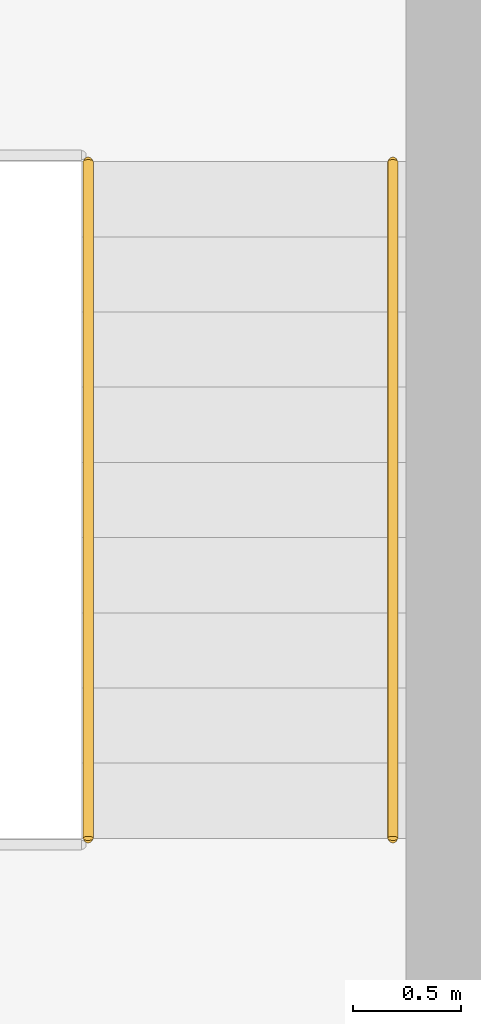
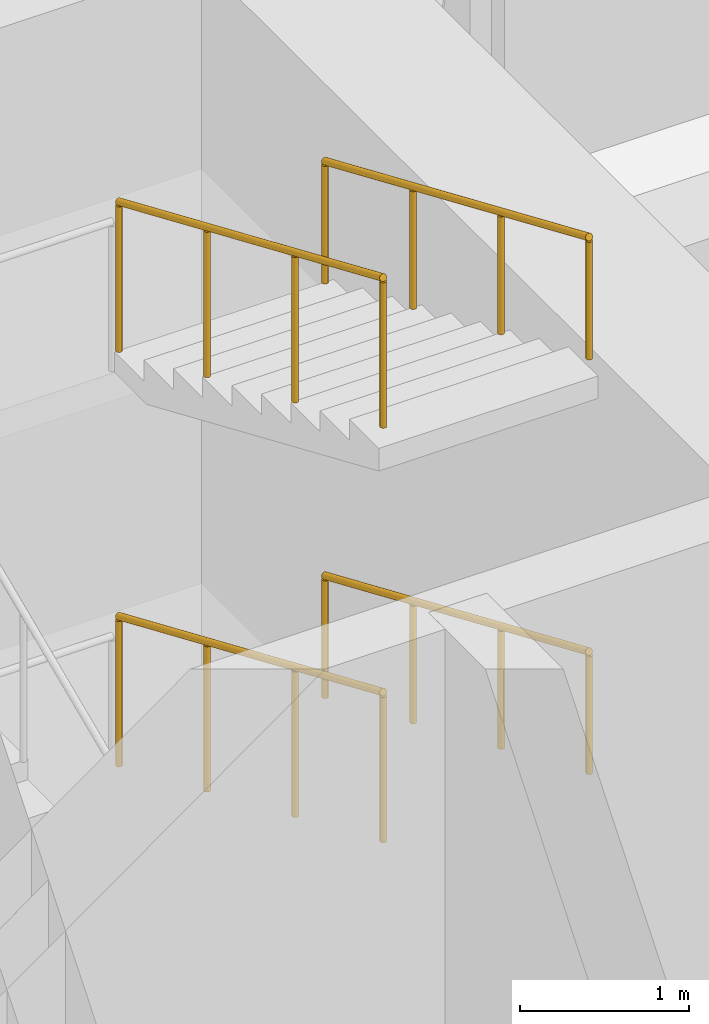
# One storey, part 9 of 9: 4 railings.
"""IFC4 building model written with IfcOpenShell, lengths in metres."""

from ifc_helpers import new_model, si_unit, direction, frame, origin, origin_2d, place, context, subcontext, project, spatial, circle, extrude, material, type_object, element, save


model = new_model("IFC4")

# Units and contexts
model_context = context("Model", 3, precision=1e-05, world=origin(), true_north=direction((0.0, 1.0)))
body_context = subcontext(model_context, "Body", "Model", "MODEL_VIEW")
ifc_project = project(units=[si_unit("LENGTHUNIT", "METRE"), si_unit("AREAUNIT", "SQUARE_METRE"), si_unit("VOLUMEUNIT", "CUBIC_METRE"), si_unit("PLANEANGLEUNIT", "RADIAN"), si_unit("MASSUNIT", "GRAM", prefix="KILO")], contexts=[model_context])

# Site, building, storey
site_placement = place(None, origin())
site = spatial("IfcSite", under=ifc_project, at=site_placement, CompositionType="ELEMENT")
building_placement = place(site_placement, origin())
building = spatial("IfcBuilding", under=site, at=building_placement, Name="Tarangal Relay Tower", CompositionType="ELEMENT")
storey_placement = place(building_placement, frame((0.0, 0.0, 253.89990234375)))
storey = spatial("IfcBuildingStorey", under=building, at=storey_placement, Name="L55", CompositionType="ELEMENT", Elevation=253.89990234375)

# Railings
ifc_material_1 = material(Name="Steel guard, black finish", Category="steel")
railing_type_1 = type_object("IfcRailingType", Name="Stair guard 1100", PredefinedType="GUARDRAIL", material=ifc_material_1)
for number, where, name in (
    (1, (9.530029296875, 9.431884765625, 1.650146484375), "Stair ST-B guard GR1 L55 flight 2"),
    (2, (9.530029296875, 9.431884765625, 4.650146484375), "Stair ST-B guard GR1 L55 flight 4"),
):
    element("IfcRailing", number, at=place(storey_placement, frame(where)), inside=storey, type_object=railing_type_1, Name=name, PredefinedType="GUARDRAIL", context=body_context, shape_type="SweptSolid", body=[
        extrude(circle(Radius=0.02392578125, at=origin_2d()), frame((0.0, 0.0, 1.076171875), z_axis=(0.0, -0.918332162045, 0.395810611471), x_axis=(1.0, 0.0, 0.0)), (0.0, 0.0, 1.0), 3.410400390625),
        extrude(circle(Radius=0.02099609375, at=origin_2d()), origin(), (0.0, 0.0, 1.0), 1.052001953125),
        extrude(circle(Radius=0.02099609375, at=origin_2d()), frame((0.0, -1.0439453125, 0.449951171875)), (0.0, 0.0, 1.0), 1.052001953125),
        extrude(circle(Radius=0.02099609375, at=origin_2d()), frame((0.0, -2.087890625, 0.89990234375)), (0.0, 0.0, 1.0), 1.052001953125),
        extrude(circle(Radius=0.02099609375, at=origin_2d()), frame((0.0, -3.1318359375, 1.349853515625)), (0.0, 0.0, 1.0), 1.052001953125),
    ])
ifc_material_2 = material(Name="Steel handrail, black finish", Category="steel")
railing_type_2 = type_object("IfcRailingType", Name="Stair handrail 900", PredefinedType="HANDRAIL", material=ifc_material_2)
for number, where, name in (
    (3, (10.93994140625, 9.431884765625, 1.650146484375), "Stair ST-B handrail HR1 L55 flight 2"),
    (4, (10.93994140625, 9.431884765625, 4.650146484375), "Stair ST-B handrail HR1 L55 flight 4"),
):
    element("IfcRailing", number, at=place(storey_placement, frame(where)), inside=storey, type_object=railing_type_2, Name=name, PredefinedType="HANDRAIL", context=body_context, shape_type="SweptSolid", body=[
        extrude(circle(Radius=0.02392578125, at=origin_2d()), frame((0.0, 0.0, 0.8759765625), z_axis=(0.0, -0.918332162045, 0.395810611471), x_axis=(1.0, 0.0, 0.0)), (0.0, 0.0, 1.0), 3.410400390625),
        extrude(circle(Radius=0.02099609375, at=origin_2d()), origin(), (0.0, 0.0, 1.0), 0.851806640625),
        extrude(circle(Radius=0.02099609375, at=origin_2d()), frame((0.0, -1.0439453125, 0.449951171875)), (0.0, 0.0, 1.0), 0.851806640625),
        extrude(circle(Radius=0.02099609375, at=origin_2d()), frame((0.0, -2.087890625, 0.89990234375)), (0.0, 0.0, 1.0), 0.851806640625),
        extrude(circle(Radius=0.02099609375, at=origin_2d()), frame((0.0, -3.1318359375, 1.349853515625)), (0.0, 0.0, 1.0), 0.851806640625),
    ])

save(model, "model.ifc")
